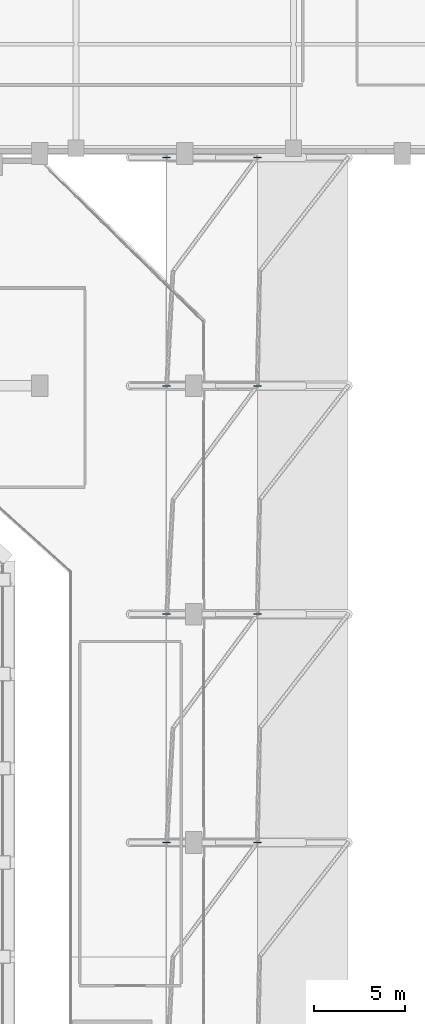
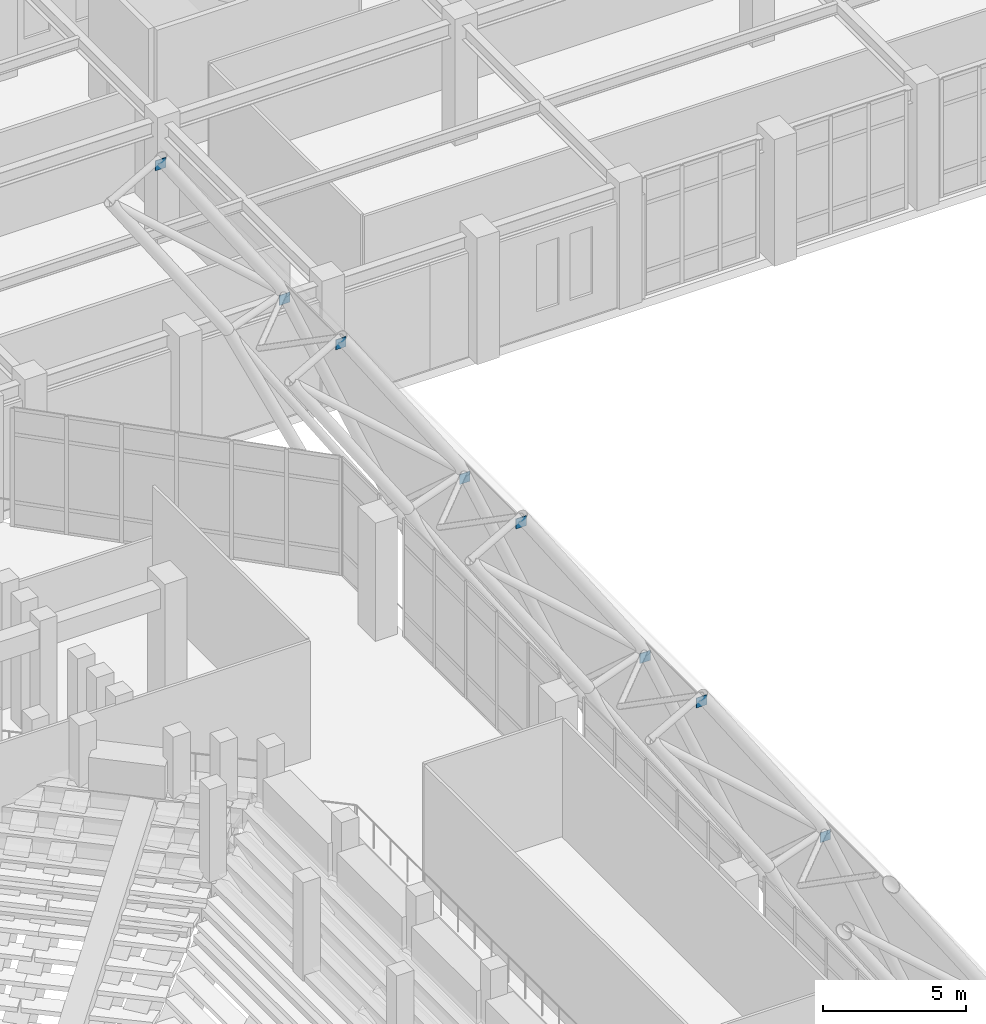
# One storey, part 121 of 159: 8 plates.
"""IFC4 building model written with IfcOpenShell, lengths in metres."""

from ifc_helpers import new_model, si_unit, derived_unit, direction, frame, origin, origin_2d, place, context, subcontext, project, spatial, rectangle, extrude, material, layer, layer_set, type_object, element, save


model = new_model("IFC4")

# Units and contexts
model_context = context("Model", 3, precision=1e-05, world=origin(), true_north=direction((0.0, 1.0)))
body_context = subcontext(model_context, "Body", "Model", "MODEL_VIEW")
ifc_project = project(units=[si_unit("LENGTHUNIT", "METRE"), si_unit("AREAUNIT", "SQUARE_METRE"), si_unit("VOLUMEUNIT", "CUBIC_METRE"), si_unit("PLANEANGLEUNIT", "RADIAN"), si_unit("MASSUNIT", "GRAM", prefix="KILO"), derived_unit("THERMALTRANSMITTANCEUNIT", [(si_unit("MASSUNIT", "GRAM", prefix="KILO"), 1), (si_unit("TIMEUNIT", "SECOND"), -3), (si_unit("THERMODYNAMICTEMPERATUREUNIT", "KELVIN"), -1)])], contexts=[model_context])

# Site, building, storey
site_placement = place(None, origin())
site = spatial("IfcSite", under=ifc_project, at=site_placement, CompositionType="ELEMENT")
building_placement = place(site_placement, origin())
building = spatial("IfcBuilding", under=site, at=building_placement, Name="Valcora Ridge Arena", CompositionType="ELEMENT")
storey_placement = place(building_placement, frame((0.0, 0.0, 6.0)))
storey = spatial("IfcBuildingStorey", under=building, at=storey_placement, Name="L01", CompositionType="ELEMENT", Elevation=6.0)

# Plates
ifc_material = material(Name="Steel ASTM A572 Grade 50", Category="steel")
ifc_layer = layer(ifc_material, 0.031982421875, Name="Steel ASTM A572 Grade 50")
ifc_layer_set = layer_set([ifc_layer], Name="Steel ASTM A572 Grade 50")
plate_type = type_object("IfcPlateType", Name="TY-PLATE-PL-NODE-32", PredefinedType="USERDEFINED", material=ifc_layer_set)
for number, where, z_axis, x_axis, name in (
    (1, (101.0, 70.39990234375, 12.523681640625), (0.0, 0.0, 1.0), (1.0, 0.0, 0.0), "PL-NODE-32 SF-GP-0069"),
    (2, (106.0, 70.39990234375, 5.0263671875), (0.0, 0.0, 1.0), (1.0, 0.0, 0.0), "PL-NODE-32 SF-GP-0070"),
    (3, (101.0, 83.0, 12.523681640625), (0.0, 0.0, 1.0), (1.0, 0.0, 0.0), "PL-NODE-32 SF-GP-0083"),
    (4, (106.0, 83.0, 5.0263671875), (0.0, 0.0, 1.0), (1.0, 0.0, 0.0), "PL-NODE-32 SF-GP-0084"),
    (5, (101.0, 95.60009765625, 12.523681640625), (0.0, 0.0, 1.0), (1.0, 0.0, 0.0), "PL-NODE-32 SF-GP-0097"),
    (6, (106.0, 95.60009765625, 5.0263671875), (0.0, 0.0, 1.0), (1.0, 0.0, 0.0), "PL-NODE-32 SF-GP-0098"),
    (7, (101.0, 108.199951171875, 12.523681640625), (0.0, 0.0, 1.0), (1.0, 0.0, 0.0), "PL-NODE-32 SF-GP-0111"),
    (8, (106.0, 108.199951171875, 5.0263671875), (0.0, 0.0, 1.0), (1.0, 0.0, 0.0), "PL-NODE-32 SF-GP-0112"),
):
    element("IfcPlate", number, at=place(storey_placement, frame(where, z_axis=z_axis, x_axis=x_axis)), inside=storey, type_object=plate_type, Name=name, ObjectType="GUSSET_PLATE", PredefinedType="USERDEFINED", context=body_context, shape_type="SweptSolid", body=[
        extrude(rectangle(XDim=0.419921875, YDim=0.031982421875, at=origin_2d()), origin(), (0.0, 0.0, 1.0), 0.419921875),
    ])

save(model, "model.ifc")
